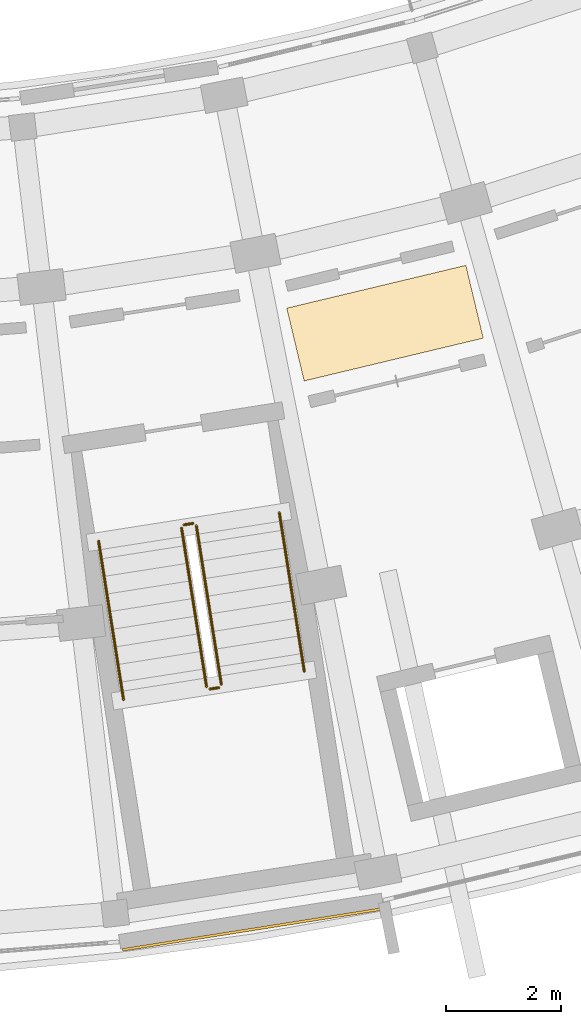
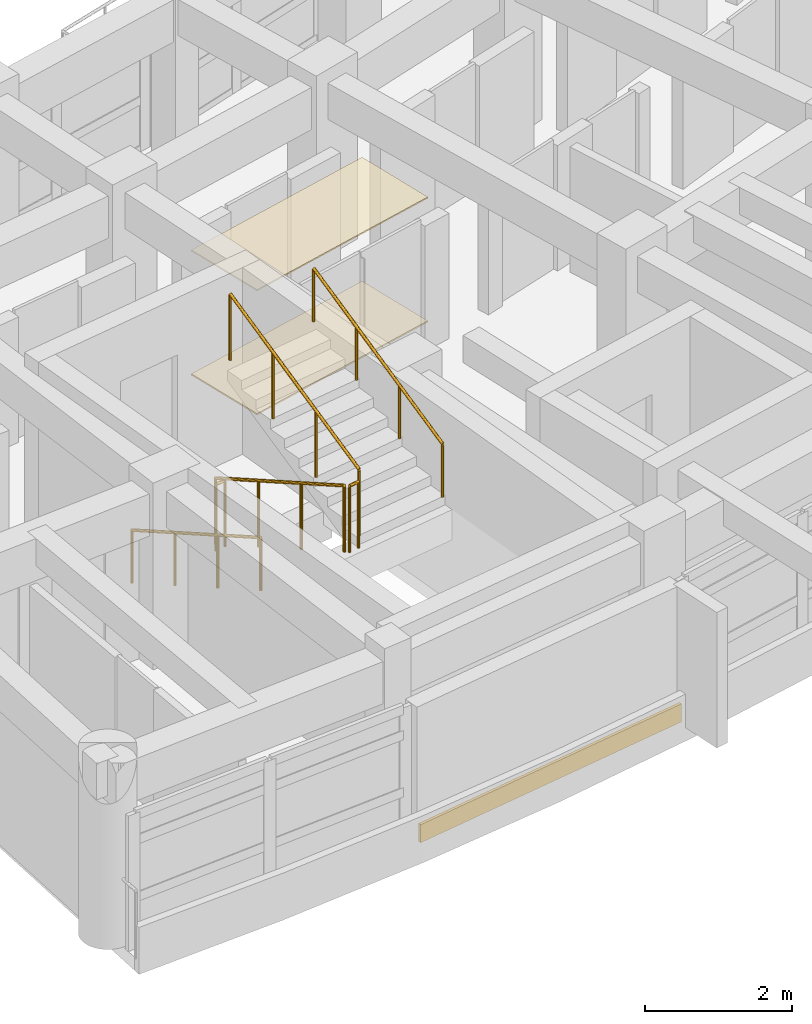
# One storey, part 54 of 56: 6 railings, 3 coverings.
"""IFC4 building model written with IfcOpenShell, lengths in metres."""

from ifc_helpers import new_model, si_unit, direction, frame, origin, origin_2d, place, context, subcontext, project, spatial, rectangle, circle, extrude, material, layer, layer_set, type_object, element, save


model = new_model("IFC4")

# Units and contexts
model_context = context("Model", 3, precision=1e-05, world=origin(), true_north=direction((0.0, 1.0)))
body_context = subcontext(model_context, "Body", "Model", "MODEL_VIEW")
ifc_project = project(units=[si_unit("LENGTHUNIT", "METRE"), si_unit("AREAUNIT", "SQUARE_METRE"), si_unit("VOLUMEUNIT", "CUBIC_METRE"), si_unit("PLANEANGLEUNIT", "RADIAN"), si_unit("MASSUNIT", "GRAM", prefix="KILO")], contexts=[model_context])

# Site, building, storey
site_placement = place(None, origin())
site = spatial("IfcSite", under=ifc_project, at=site_placement, CompositionType="ELEMENT")
building_placement = place(site_placement, origin())
building = spatial("IfcBuilding", under=site, at=building_placement, Name="Zimvara Arc Housing Community", CompositionType="ELEMENT")
storey_placement = place(building_placement, frame((0.0, 0.0, 17.39990234375)))
storey = spatial("IfcBuildingStorey", under=building, at=storey_placement, Name="L05", CompositionType="ELEMENT", Elevation=17.39990234375)

# Coverings
ifc_material_1 = material(Name="Pale-Gold Anodised Aluminium Cladding", Category="aluminium")
ifc_layer_1 = layer(ifc_material_1, 0.044921875)
ifc_layer_set_1 = layer_set([ifc_layer_1], Name="Pale-Gold Anodised Aluminium Cladding")
covering_type_1 = type_object("IfcCoveringType", Name="CLD-GOLD-02", PredefinedType="CLADDING", material=ifc_layer_set_1)
covering_1_placement = place(storey_placement, frame((135.233642578125, 51.103515625, 0.01025390625), z_axis=(0.0, 0.0, 1.0), x_axis=(0.987824479318, 0.155572484907, 0.0)))
element("IfcCovering", 1, at=covering_1_placement, inside=storey, type_object=covering_type_1, Name="cld:blkD:L05:out:b1", PredefinedType="CLADDING", context=body_context, shape_type="SweptSolid", body=[
    extrude(rectangle(XDim=4.5625, YDim=0.044921875, at=origin_2d()), origin(), (0.0, 0.0, 1.0), 0.300048828125),
])
ifc_material_2 = material(Name="Perforated Acoustic Ceiling Board")
ifc_layer_2 = layer(ifc_material_2, 0.02197265625)
ifc_layer_set_2 = layer_set([ifc_layer_2], Name="Perforated Acoustic Ceiling Board")
covering_type_2 = type_object("IfcCoveringType", Name="COV-CEIL-02", PredefinedType="CEILING", material=ifc_layer_set_2)
covering_2_placement = place(storey_placement, frame((137.53955078125, 61.639404296875, 2.05810546875), z_axis=(0.0, 0.0, 1.0), x_axis=(0.232596722241, -0.972573269632, 0.0)))
element("IfcCovering", 2, at=covering_2_placement, inside=storey, type_object=covering_type_2, Name="ceil:blkD:L05", PredefinedType="CEILING", context=body_context, shape_type="SweptSolid", body=[
    extrude(rectangle(XDim=1.300048828125, YDim=3.199951171875, at=origin_2d()), origin(), (0.0, 0.0, 1.0), 0.02197265625),
])
ifc_material_3 = material(Name="Polished Coastal Sand Terrazzo")
ifc_layer_3 = layer(ifc_material_3, 0.02392578125)
ifc_layer_set_3 = layer_set([ifc_layer_3], Name="Polished Coastal Sand Terrazzo")
covering_type_3 = type_object("IfcCoveringType", Name="COV-FLOR-02", PredefinedType="FLOORING", material=ifc_layer_set_3)
covering_3_placement = place(storey_placement, frame((137.53955078125, 61.639404296875, 0.000244140625), z_axis=(0.0, 0.0, 1.0), x_axis=(0.232596722241, -0.972573269632, 0.0)))
element("IfcCovering", 3, at=covering_3_placement, inside=storey, type_object=covering_type_3, Name="flor:blkD:L05", PredefinedType="FLOORING", context=body_context, shape_type="SweptSolid", body=[
    extrude(rectangle(XDim=1.300048828125, YDim=3.199951171875, at=origin_2d()), origin(), (0.0, 0.0, 1.0), 0.02392578125),
])

# Railings
ifc_material_4 = material(Name="Anodised Aluminium AW-6063", Category="aluminium")
railing_type_1 = type_object("IfcRailingType", Name="RLG-BAL-1120", PredefinedType="BALUSTRADE", material=ifc_material_4)
railing_1_placement = place(storey_placement, frame((134.003662109375, 58.077880859375, 0.155029296875)))
element("IfcRailing", 4, at=railing_1_placement, inside=storey, type_object=railing_type_1, Name="L05 ST-D1 stair guard 1", PredefinedType="BALUSTRADE", context=body_context, shape_type="SweptSolid", body=[
    extrude(circle(Radius=0.02392578125, at=origin_2d()), frame((0.0, 0.0, 1.09619140625), z_axis=(0.139155924824, -0.88353837758, 0.447208635795), x_axis=(0.98782319772, 0.155580622336, 0.0)), (0.0, 0.0, 1.0), 3.119384765625),
    extrude(circle(Radius=0.02099609375, at=origin_2d()), origin(), (0.0, 0.0, 1.0), 1.072021484375),
    extrude(circle(Radius=0.02099609375, at=origin_2d()), frame((0.144775390625, -0.918701171875, 0.465087890625)), (0.0, 0.0, 1.0), 1.072021484375),
    extrude(circle(Radius=0.02099609375, at=origin_2d()), frame((0.289306640625, -1.83740234375, 0.929931640625)), (0.0, 0.0, 1.0), 1.072021484375),
    extrude(circle(Radius=0.02099609375, at=origin_2d()), frame((0.43408203125, -2.756103515625, 1.39501953125)), (0.0, 0.0, 1.0), 1.072021484375),
])
railing_2_placement = place(storey_placement, frame((134.494873046875, 55.280029296875, 1.550048828125)))
element("IfcRailing", 5, at=railing_2_placement, inside=storey, type_object=railing_type_1, Name="L05 ST-D1 stair guard 2", PredefinedType="BALUSTRADE", context=body_context, shape_type="SweptSolid", body=[
    extrude(circle(Radius=0.02392578125, at=origin_2d()), frame((0.0, 0.0, 1.09619140625), z_axis=(0.987800074219, 0.155727368733, 0.0), x_axis=(-0.155727368733, 0.987800074219, 0.0)), (0.0, 0.0, 1.0), 0.159912109375),
    extrude(circle(Radius=0.02099609375, at=origin_2d()), origin(), (0.0, 0.0, 1.0), 1.072021484375),
    extrude(circle(Radius=0.02099609375, at=origin_2d()), frame((0.157958984375, 0.02490234375, 0.0)), (0.0, 0.0, 1.0), 1.072021484375),
])
railing_3_placement = place(storey_placement, frame((134.694580078125, 55.3623046875, 1.705078125)))
element("IfcRailing", 6, at=railing_3_placement, inside=storey, type_object=railing_type_1, Name="L05 ST-D1 stair guard 3", PredefinedType="BALUSTRADE", context=body_context, shape_type="SweptSolid", body=[
    extrude(circle(Radius=0.02392578125, at=origin_2d()), frame((0.0, 0.0, 1.09619140625), z_axis=(-0.139165548099, 0.883521207501, 0.447239562337), x_axis=(-0.987821079402, -0.155594071508, 0.0)), (0.0, 0.0, 1.0), 3.119140625),
    extrude(circle(Radius=0.02099609375, at=origin_2d()), origin(), (0.0, 0.0, 1.0), 1.072021484375),
    extrude(circle(Radius=0.02099609375, at=origin_2d()), frame((-0.144775390625, 0.918701171875, 0.465087890625)), (0.0, 0.0, 1.0), 1.072021484375),
    extrude(circle(Radius=0.02099609375, at=origin_2d()), frame((-0.289306640625, 1.837158203125, 0.929931640625)), (0.0, 0.0, 1.0), 1.072021484375),
    extrude(circle(Radius=0.02099609375, at=origin_2d()), frame((-0.43408203125, 2.755859375, 1.39501953125)), (0.0, 0.0, 1.0), 1.072021484375),
])
railing_4_placement = place(storey_placement, frame((134.045166015625, 58.135009765625, 0.0)))
element("IfcRailing", 7, at=railing_4_placement, inside=storey, type_object=railing_type_1, Name="L05 ST-D1 stair guard 4", PredefinedType="BALUSTRADE", context=body_context, shape_type="SweptSolid", body=[
    extrude(circle(Radius=0.02392578125, at=origin_2d()), frame((0.0, 0.0, 1.09619140625), z_axis=(0.987800074219, 0.155727368733, 0.0), x_axis=(-0.155727368733, 0.987800074219, 0.0)), (0.0, 0.0, 1.0), 0.159912109375),
    extrude(circle(Radius=0.02099609375, at=origin_2d()), origin(), (0.0, 0.0, 1.0), 1.072021484375),
    extrude(circle(Radius=0.02099609375, at=origin_2d()), frame((0.157958984375, 0.02490234375, 0.0)), (0.0, 0.0, 1.0), 1.072021484375),
])
ifc_material_5 = material(Name="Anodised Aluminium AW-6063", Category="aluminium")
railing_type_2 = type_object("IfcRailingType", Name="RLG-HND-900", PredefinedType="HANDRAIL", material=ifc_material_5)
railing_5_placement = place(storey_placement, frame((132.561279296875, 57.8505859375, 0.155029296875)))
element("IfcRailing", 8, at=railing_5_placement, inside=storey, type_object=railing_type_2, Name="L05 ST-D1 stair handrail 1", PredefinedType="HANDRAIL", context=body_context, shape_type="SweptSolid", body=[
    extrude(circle(Radius=0.02392578125, at=origin_2d()), frame((0.0, 0.0, 0.8759765625), z_axis=(0.139165548099, -0.883521207501, 0.447239562337), x_axis=(0.987821079402, 0.155594071508, 0.0)), (0.0, 0.0, 1.0), 3.119140625),
    extrude(circle(Radius=0.02099609375, at=origin_2d()), origin(), (0.0, 0.0, 1.0), 0.851806640625),
    extrude(circle(Radius=0.02099609375, at=origin_2d()), frame((0.144775390625, -0.918701171875, 0.465087890625)), (0.0, 0.0, 1.0), 0.851806640625),
    extrude(circle(Radius=0.02099609375, at=origin_2d()), frame((0.289306640625, -1.837158203125, 0.929931640625)), (0.0, 0.0, 1.0), 0.851806640625),
    extrude(circle(Radius=0.02099609375, at=origin_2d()), frame((0.43408203125, -2.755859375, 1.39501953125)), (0.0, 0.0, 1.0), 0.851806640625),
])
railing_6_placement = place(storey_placement, frame((136.13671875, 55.58935546875, 1.705078125)))
element("IfcRailing", 9, at=railing_6_placement, inside=storey, type_object=railing_type_2, Name="L05 ST-D1 stair handrail 2", PredefinedType="HANDRAIL", context=body_context, shape_type="SweptSolid", body=[
    extrude(circle(Radius=0.02392578125, at=origin_2d()), frame((0.0, 0.0, 0.8759765625), z_axis=(-0.139155924824, 0.88353837758, 0.447208635795), x_axis=(-0.98782319772, -0.155580622336, 0.0)), (0.0, 0.0, 1.0), 3.119384765625),
    extrude(circle(Radius=0.02099609375, at=origin_2d()), origin(), (0.0, 0.0, 1.0), 0.851806640625),
    extrude(circle(Radius=0.02099609375, at=origin_2d()), frame((-0.144775390625, 0.918701171875, 0.465087890625)), (0.0, 0.0, 1.0), 0.851806640625),
    extrude(circle(Radius=0.02099609375, at=origin_2d()), frame((-0.289306640625, 1.83740234375, 0.929931640625)), (0.0, 0.0, 1.0), 0.851806640625),
    extrude(circle(Radius=0.02099609375, at=origin_2d()), frame((-0.43408203125, 2.756103515625, 1.39501953125)), (0.0, 0.0, 1.0), 0.851806640625),
])

save(model, "model.ifc")
